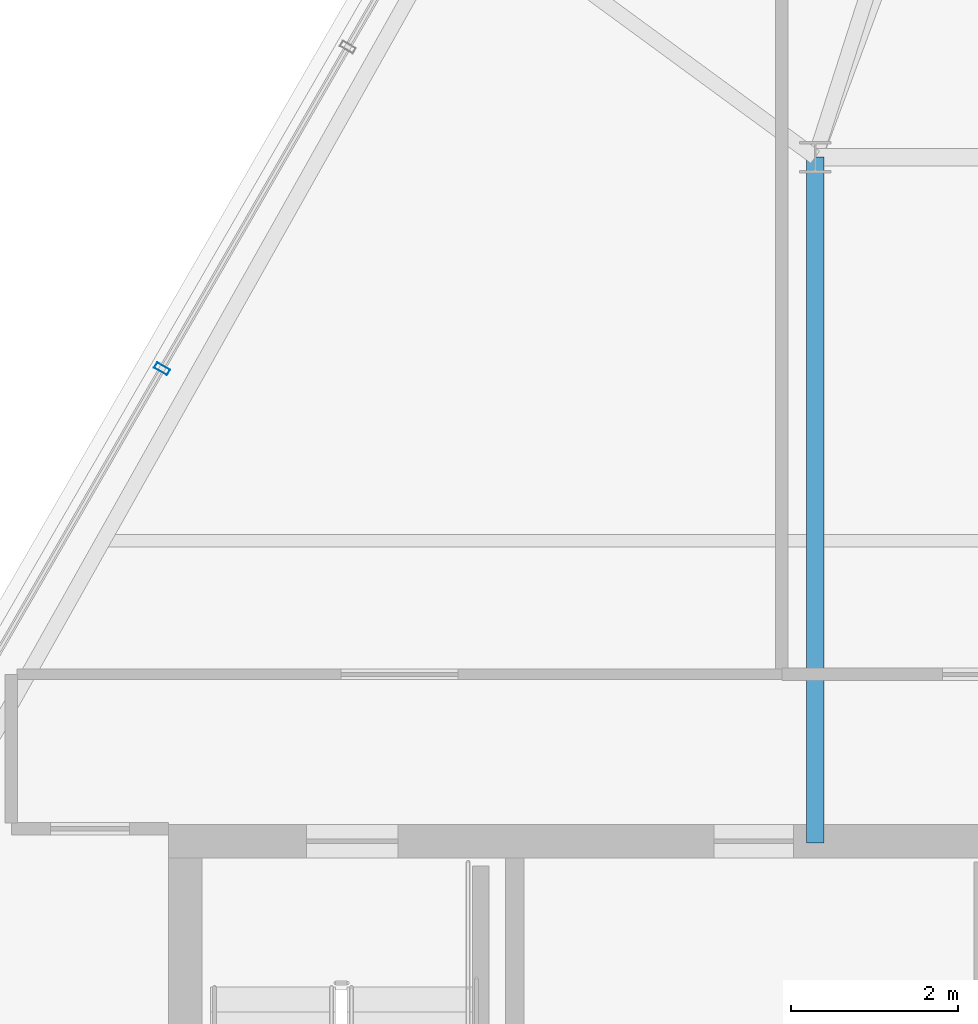
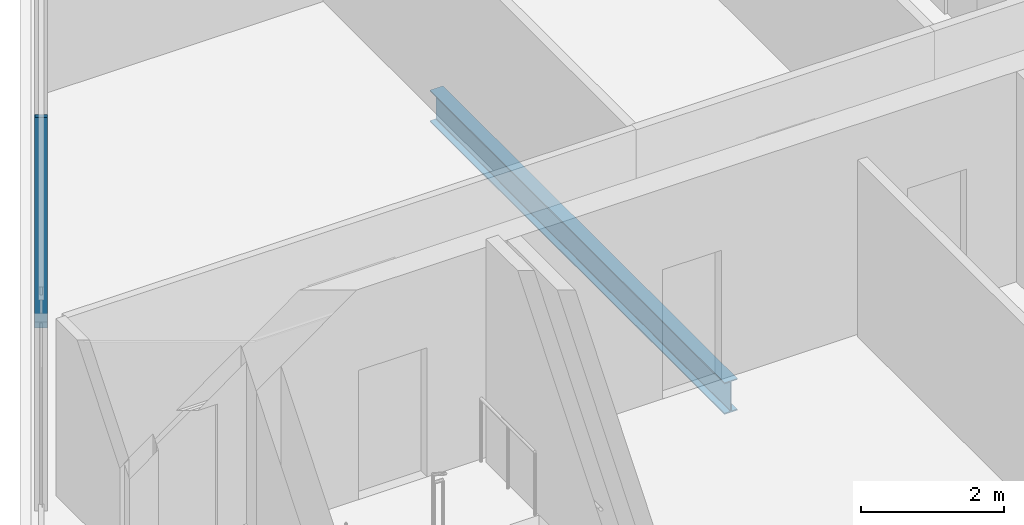
# One storey, part 6 of 32: 1 beam, 1 member, 1 element without a shape of its own.
"""IFC4 building model written with IfcOpenShell, lengths in metres."""

from ifc_helpers import new_model, si_unit, direction, frame, origin, origin_2d, place, context, subcontext, project, spatial, hollow_rectangle, i_section, extrude, material, layer, layer_set, material_profile, profile_set, type_object, element, aggregate, save


model = new_model("IFC4")

# Units and contexts
model_context = context("Model", 3, precision=1e-05, world=origin(), true_north=direction((0.0, 1.0)))
body_context = subcontext(model_context, "Body", "Model", "MODEL_VIEW")
ifc_project = project(units=[si_unit("LENGTHUNIT", "METRE"), si_unit("AREAUNIT", "SQUARE_METRE"), si_unit("VOLUMEUNIT", "CUBIC_METRE"), si_unit("PLANEANGLEUNIT", "RADIAN"), si_unit("MASSUNIT", "GRAM", prefix="KILO")], contexts=[model_context])

# Site, building, storey
site_placement = place(None, origin())
site = spatial("IfcSite", under=ifc_project, at=site_placement, CompositionType="ELEMENT")
building_placement = place(site_placement, origin())
building = spatial("IfcBuilding", under=site, at=building_placement, Name="Ndaravel Arena Tower", CompositionType="ELEMENT")
storey_placement = place(building_placement, frame((0.0, 0.0, 283.300048828125)))
storey = spatial("IfcBuildingStorey", under=building, at=storey_placement, Name="L69", CompositionType="ELEMENT", Elevation=283.300048828125)

# Beam
ifc_material_1 = material(Name="Steel S355", Category="steel")
ifc_material_profile_1 = material_profile(ifc_material_1, i_section(OverallWidth=0.210693359375, OverallDepth=0.53955078125, WebThickness=0.01171875, FlangeThickness=0.018798828125, FilletRadius=0.0126953125, at=origin_2d()), Name="UB 533x210x109")
ifc_profile_set_1 = profile_set([ifc_material_profile_1], Name="Steel S355")
beam_type = type_object("IfcBeamType", Name="BM-GIRD-UB533", PredefinedType="BEAM", material=ifc_profile_set_1)
beam_placement = place(storey_placement, frame((34.199951171875, 14.97998046875, -0.48974609375), z_axis=(0.0, 1.0, 0.0), x_axis=(-1.0, 0.0, 0.0)))
element("IfcBeam", 1, at=beam_placement, inside=storey, type_object=beam_type, Name="L69 Spine Link Girder SLG-01", PredefinedType="BEAM", context=body_context, shape_type="SweptSolid", body=[
    extrude(i_section(OverallWidth=0.210693359375, OverallDepth=0.53955078125, WebThickness=0.01171875, FlangeThickness=0.018798828125, FilletRadius=0.0126953125, at=origin_2d()), origin(), (0.0, 0.0, 1.0), 8.219970703125),
])

# Curtain wall, member
ifc_material_2 = material(Name="Aluminium", Category="aluminium")
ifc_layer = layer(ifc_material_2, 0.179931640625)
ifc_layer_set = layer_set([ifc_layer], Name="Aluminium")
curtain_wall_type = type_object("IfcCurtainWallType", Name="CW-SYS-03", PredefinedType="NOTDEFINED", material=ifc_layer_set)
curtain_wall_placement = place(storey_placement, origin())
curtain_wall = element("IfcCurtainWall", 2, at=curtain_wall_placement, inside=storey, type_object=curtain_wall_type, Name="L69 Faceted Crystal Curtain Wall CW-L69-E05", PredefinedType="NOTDEFINED")
ifc_material_3 = material(Name="Aluminium", Category="aluminium")
ifc_material_profile_2 = material_profile(ifc_material_3, hollow_rectangle(XDim=0.074951171875, YDim=0.179931640625, WallThickness=0.00390625, at=origin_2d()), Name="CW MULLION 75x180x4")
ifc_profile_set_2 = profile_set([ifc_material_profile_2], Name="Aluminium")
member_type = type_object("IfcMemberType", Name="MEM-CW-MUL180", PredefinedType="MULLION", material=ifc_profile_set_2)
member_placement = place(storey_placement, frame((26.370849609375, 20.6630859375, 0.0), z_axis=(0.0, 0.0, 1.0), x_axis=(-0.5, -0.866025403784, 0.0)))
member = element("IfcMember", 3, at=member_placement, type_object=member_type, Name="CW-L69-E05 Mullion 06", PredefinedType="MULLION", context=body_context, shape_type="SweptSolid", body=[
    extrude(hollow_rectangle(XDim=0.074951171875, YDim=0.179931640625, WallThickness=0.00390625, at=origin_2d()), origin(), (0.0, 0.0, 1.0), 3.579833984375),
])
aggregate(curtain_wall, [member])

save(model, "model.ifc")
